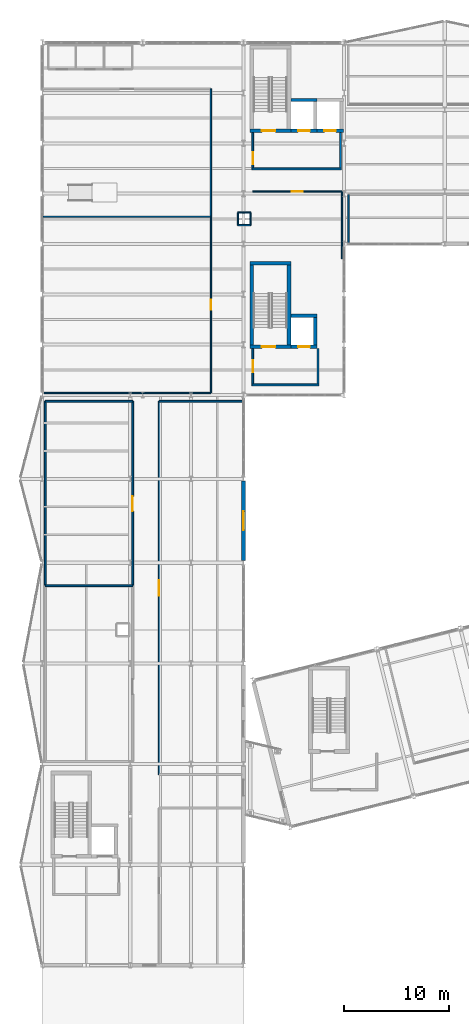
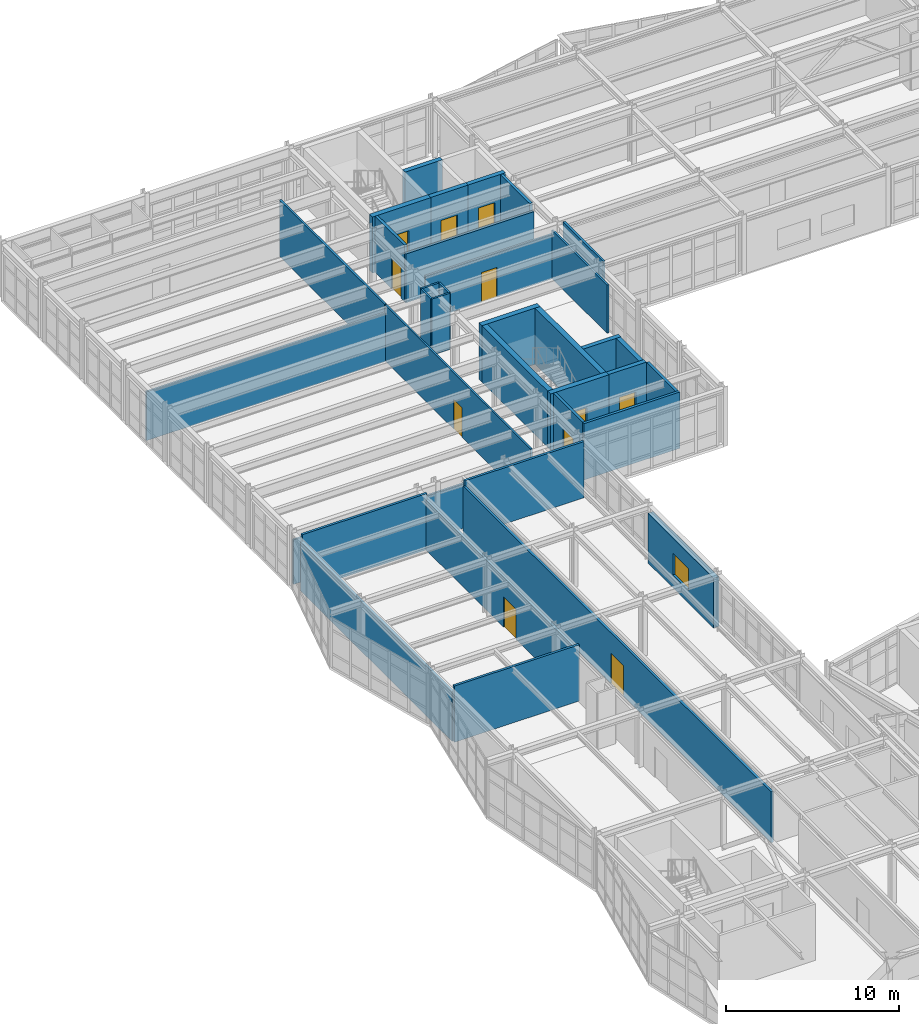
# One storey, part 73 of 88: 35 walls, 11 doors, 1 window, 12 openings.
"""IFC4 building model written with IfcOpenShell, lengths in metres."""

from ifc_helpers import new_model, si_unit, direction, frame, frame_2d, origin, place, context, subcontext, project, spatial, rectangle, extrude, material, layer, layer_set, type_object, element, fill, save


model = new_model("IFC4")

# Units and contexts
model_context = context("Model", 3, precision=1e-05, world=origin(), true_north=direction((0.0, 1.0)))
body_context = subcontext(model_context, "Body", "Model", "MODEL_VIEW")
ifc_project = project(units=[si_unit("LENGTHUNIT", "METRE"), si_unit("AREAUNIT", "SQUARE_METRE"), si_unit("VOLUMEUNIT", "CUBIC_METRE"), si_unit("PLANEANGLEUNIT", "RADIAN"), si_unit("MASSUNIT", "GRAM", prefix="KILO")], contexts=[model_context])

# Site, building, storey
site_placement = place(None, origin())
site = spatial("IfcSite", under=ifc_project, at=site_placement, CompositionType="ELEMENT")
building_placement = place(site_placement, origin())
building = spatial("IfcBuilding", under=site, at=building_placement, Name="Nordkorset Police Headquarters", CompositionType="ELEMENT")
storey_placement = place(building_placement, frame((0.0, 0.0, 9.449951171875)))
storey = spatial("IfcBuildingStorey", under=building, at=storey_placement, Name="L02", CompositionType="ELEMENT", Elevation=9.449951171875)

# Walls
ifc_material_1 = material(Name="Gypsum board", Category="gypsum")
ifc_layer_1 = layer(ifc_material_1, 0.139892578125, Name="Gypsum board")
ifc_layer_set_1 = layer_set([ifc_layer_1], Name="Gypsum board")
wall_type_1 = type_object("IfcWallType", Name="Wall_Acoust_140", PredefinedType="PARTITIONING", material=ifc_layer_set_1)
wall_1_placement = place(storey_placement, frame((16.10009765625, 100.2548828125, 0.0), z_axis=(0.0, 0.0, 1.0), x_axis=(0.0, 1.0, 0.0)))
element("IfcWall", 1, at=wall_1_placement, inside=storey, type_object=wall_type_1, Name="Interior Partition Wall Detective Taskforce Briefing Room", PredefinedType="PARTITIONING", context=body_context, shape_type="SweptSolid", body=[
    extrude(rectangle(XDim=12.14501953125, YDim=0.139892578125, at=frame_2d((6.072509765625, 0.0))), origin(), (0.0, 0.0, 1.0), 3.969970703125),
])
wall_2_placement = place(storey_placement, frame((29.199951171875, 102.300048828125, 0.0), z_axis=(0.0, 0.0, 1.0), x_axis=(0.0, -1.0, 0.0)))
element("IfcWall", 2, at=wall_2_placement, inside=storey, type_object=wall_type_1, Name="Interior Partition Wall Vulnerable Witness Interview Suite", PredefinedType="PARTITIONING", context=body_context, shape_type="SweptSolid", body=[
    extrude(rectangle(XDim=4.614990234375, YDim=0.139892578125, at=frame_2d((2.3076171875, 0.0))), origin(), (0.0, 0.0, 1.0), 3.969970703125),
])
ifc_material_2 = material(Name="Gypsum board", Category="gypsum")
ifc_layer_2 = layer(ifc_material_2, 0.179931640625, Name="Gypsum board")
ifc_layer_set_2 = layer_set([ifc_layer_2], Name="Gypsum board")
wall_type_2 = type_object("IfcWallType", Name="Wall_Comp_180", PredefinedType="PARTITIONING", material=ifc_layer_set_2)
wall_3_placement = place(storey_placement, frame((20.0, 104.760009765625, 0.0), z_axis=(0.0, 0.0, 1.0), x_axis=(1.0, 0.0, 0.0)))
element("IfcWall", 3, at=wall_3_placement, inside=storey, type_object=wall_type_2, Name="Firefighting Lobby EI 60 Wall K1 L02 S", PredefinedType="PARTITIONING", context=body_context, shape_type="SweptSolid", body=[
    extrude(rectangle(XDim=8.550048828125, YDim=0.179931640625, at=frame_2d((4.27490234375, 0.0))), origin(), (0.0, 0.0, 1.0), 3.449951171875),
])

# Wall, opening, door
wall_4_placement = place(storey_placement, frame((20.090087890625, 104.85009765625, 0.0), z_axis=(0.0, 0.0, 1.0), x_axis=(0.0, 1.0, 0.0)))
wall_4 = element("IfcWall", 4, at=wall_4_placement, inside=storey, type_object=wall_type_2, Name="Firefighting Lobby EI 60 Wall K1 L02 W", PredefinedType="PARTITIONING", context=body_context, shape_type="SweptSolid", body=[
    extrude(rectangle(XDim=3.375, YDim=0.179931640625, at=frame_2d((1.6875, 0.0))), origin(), (0.0, 0.0, 1.0), 3.969970703125),
])
opening_1_placement = place(wall_4_placement, frame((0.35009765625, 0.0, 0.0)))
opening_1 = element("IfcOpeningElement", 5, at=opening_1_placement, cuts=wall_4, Name="Opening DR-01", PredefinedType="OPENING", context=body_context, shape_type="SweptSolid", body=[
    extrude(rectangle(XDim=1.14990234375, YDim=2.14990234375, at=frame_2d((0.574951171875, 1.074951171875))), frame((0.0, 0.10009765625, 0.0), z_axis=(0.0, -1.0, 0.0), x_axis=(1.0, 0.0, 0.0)), (0.0, 0.0, 1.0), 0.199951171875),
])
ifc_material_3 = material(Name="Steel S355J2", Category="steel")
door_type_1 = type_object("IfcDoorType", Name="Door_LobbySingle_1150x2150", OperationType="NOTDEFINED", PredefinedType="DOOR", material=ifc_material_3)
door_1_placement = place(opening_1_placement, origin())
door_1 = element("IfcDoor", 6, at=door_1_placement, inside=storey, type_object=door_type_1, Name="Firefighting Lobby Smoke Door K1 L02 W", OperationType="SINGLE_SWING_LEFT", OverallHeight=2.14990234375, OverallWidth=1.14990234375, PredefinedType="DOOR", context=body_context, shape_type="SweptSolid", body=[
    extrude(rectangle(XDim=1.14990234375, YDim=2.14990234375, at=frame_2d((0.574951171875, 1.074951171875))), frame((0.0, 0.02490234375, 0.0), z_axis=(0.0, -1.0, 0.0), x_axis=(1.0, 0.0, 0.0)), (0.0, 0.0, 1.0), 0.050048828125),
])
fill(opening_1, door_1)

# Walls
wall_5_placement = place(storey_placement, frame((28.4599609375, 104.85009765625, 0.0), z_axis=(0.0, 0.0, 1.0), x_axis=(0.0, 1.0, 0.0)))
element("IfcWall", 7, at=wall_5_placement, inside=storey, type_object=wall_type_2, Name="Firefighting Lobby EI 60 Wall K1 L02 E", PredefinedType="PARTITIONING", context=body_context, shape_type="SweptSolid", body=[
    extrude(rectangle(XDim=3.375, YDim=0.179931640625, at=frame_2d((1.6875, 0.0))), origin(), (0.0, 0.0, 1.0), 3.969970703125),
])
wall_6_placement = place(storey_placement, frame((20.0, 84.159912109375, 0.0), z_axis=(0.0, 0.0, 1.0), x_axis=(1.0, 0.0, 0.0)))
element("IfcWall", 8, at=wall_6_placement, inside=storey, type_object=wall_type_2, Name="Firefighting Lobby EI 60 Wall K3 L02 S", PredefinedType="PARTITIONING", context=body_context, shape_type="SweptSolid", body=[
    extrude(rectangle(XDim=6.39990234375, YDim=0.179931640625, at=frame_2d((3.199951171875, 0.0))), origin(), (0.0, 0.0, 1.0), 3.969970703125),
])

# Wall, opening, door
wall_7_placement = place(storey_placement, frame((20.090087890625, 84.25, 0.0), z_axis=(0.0, 0.0, 1.0), x_axis=(0.0, 1.0, 0.0)))
wall_7 = element("IfcWall", 9, at=wall_7_placement, inside=storey, type_object=wall_type_2, Name="Firefighting Lobby EI 60 Wall K3 L02 W", PredefinedType="PARTITIONING", context=body_context, shape_type="SweptSolid", body=[
    extrude(rectangle(XDim=3.375, YDim=0.179931640625, at=frame_2d((1.6875, 0.0))), origin(), (0.0, 0.0, 1.0), 3.969970703125),
])
opening_2_placement = place(wall_7_placement, frame((1.112548828125, 0.0, 0.0)))
opening_2 = element("IfcOpeningElement", 10, at=opening_2_placement, cuts=wall_7, Name="Opening DR-01", PredefinedType="OPENING", context=body_context, shape_type="SweptSolid", body=[
    extrude(rectangle(XDim=1.14990234375, YDim=2.14990234375, at=frame_2d((0.574951171875, 1.074951171875))), frame((0.0, 0.10009765625, 0.0), z_axis=(0.0, -1.0, 0.0), x_axis=(1.0, 0.0, 0.0)), (0.0, 0.0, 1.0), 0.199951171875),
])
door_2_placement = place(opening_2_placement, origin())
door_2 = element("IfcDoor", 11, at=door_2_placement, inside=storey, type_object=door_type_1, Name="Firefighting Lobby Smoke Door K3 L02 W", OperationType="SINGLE_SWING_RIGHT", OverallHeight=2.14990234375, OverallWidth=1.14990234375, PredefinedType="DOOR", context=body_context, shape_type="SweptSolid", body=[
    extrude(rectangle(XDim=1.14990234375, YDim=2.14990234375, at=frame_2d((0.574951171875, 1.074951171875))), frame((0.0, 0.02490234375, 0.0), z_axis=(0.0, -1.0, 0.0), x_axis=(1.0, 0.0, 0.0)), (0.0, 0.0, 1.0), 0.050048828125),
])
fill(opening_2, door_2)

# Wall
wall_8_placement = place(storey_placement, frame((26.31005859375, 84.25, 0.0), z_axis=(0.0, 0.0, 1.0), x_axis=(0.0, 1.0, 0.0)))
element("IfcWall", 12, at=wall_8_placement, inside=storey, type_object=wall_type_2, Name="Firefighting Lobby EI 60 Wall K3 L02 E", PredefinedType="PARTITIONING", context=body_context, shape_type="SweptSolid", body=[
    extrude(rectangle(XDim=3.375, YDim=0.179931640625, at=frame_2d((1.6875, 0.0))), origin(), (0.0, 0.0, 1.0), 3.969970703125),
])

# Wall, opening, door
ifc_material_4 = material(Name="Concrete C35/45", Category="concrete")
ifc_layer_3 = layer(ifc_material_4, 0.35009765625, Name="Concrete C35/45")
ifc_layer_set_3 = layer_set([ifc_layer_3], Name="Concrete C35/45")
wall_type_3 = type_object("IfcWallType", Name="Wall_CoreShear_350", PredefinedType="SHEAR", material=ifc_layer_set_3)
wall_9_placement = place(storey_placement, frame((19.824951171875, 108.39990234375, 0.0), z_axis=(0.0, 0.0, 1.0), x_axis=(1.0, 0.0, 0.0)))
wall_9 = element("IfcWall", 13, at=wall_9_placement, inside=storey, type_object=wall_type_3, Name="Core K1 Stair Shaft South Shear Wall L02", PredefinedType="SHEAR", context=body_context, shape_type="SweptSolid", body=[
    extrude(rectangle(XDim=3.900146484375, YDim=0.35009765625, at=frame_2d((1.9501953125, 0.0))), origin(), (0.0, 0.0, 1.0), 3.969970703125),
])
opening_3_placement = place(wall_9_placement, frame((1.125, 0.0, 0.0)))
opening_3 = element("IfcOpeningElement", 14, at=opening_3_placement, cuts=wall_9, Name="Opening DR-20", PredefinedType="OPENING", context=body_context, shape_type="SweptSolid", body=[
    extrude(rectangle(XDim=1.300048828125, YDim=2.14990234375, at=frame_2d((0.64990234375, 1.074951171875))), frame((0.0, 0.18505859375, 0.0), z_axis=(0.0, -1.0, 0.0), x_axis=(1.0, 0.0, 0.0)), (0.0, 0.0, 1.0), 0.3701171875),
])
ifc_material_5 = material(Name="Steel S355J2", Category="steel")
door_type_2 = type_object("IfcDoorType", Name="Door_Stair_1300x2150", OperationType="NOTDEFINED", PredefinedType="DOOR", material=ifc_material_5)
door_3_placement = place(opening_3_placement, frame((1.300048828125, 0.0, 0.0), z_axis=(0.0, 0.0, 1.0), x_axis=(-1.0, 0.0, 0.0)))
door_3 = element("IfcDoor", 15, at=door_3_placement, inside=storey, type_object=door_type_2, Name="Protected Stair Fire Door ST-01 L02", OperationType="SINGLE_SWING_LEFT", OverallHeight=2.14990234375, OverallWidth=1.300048828125, PredefinedType="DOOR", context=body_context, shape_type="SweptSolid", body=[
    extrude(rectangle(XDim=1.300048828125, YDim=2.14990234375, at=frame_2d((0.64990234375, 1.074951171875))), frame((0.0, 0.02490234375, 0.0), z_axis=(0.0, -1.0, 0.0), x_axis=(1.0, 0.0, 0.0)), (0.0, 0.0, 1.0), 0.050048828125),
])
fill(opening_3, door_3)

wall_10_placement = place(storey_placement, frame((19.824951171875, 87.800048828125, 0.0), z_axis=(0.0, 0.0, 1.0), x_axis=(1.0, 0.0, 0.0)))
wall_10 = element("IfcWall", 16, at=wall_10_placement, inside=storey, type_object=wall_type_3, Name="Core K3 Stair Shaft South Shear Wall L02", PredefinedType="SHEAR", context=body_context, shape_type="SweptSolid", body=[
    extrude(rectangle(XDim=3.900146484375, YDim=0.35009765625, at=frame_2d((1.9501953125, 0.0))), origin(), (0.0, 0.0, 1.0), 3.969970703125),
])
opening_4_placement = place(wall_10_placement, frame((1.125, 0.0, 0.0)))
opening_4 = element("IfcOpeningElement", 17, at=opening_4_placement, cuts=wall_10, Name="Opening DR-20", PredefinedType="OPENING", context=body_context, shape_type="SweptSolid", body=[
    extrude(rectangle(XDim=1.300048828125, YDim=2.14990234375, at=frame_2d((0.64990234375, 1.074951171875))), frame((0.0, 0.18505859375, 0.0), z_axis=(0.0, -1.0, 0.0), x_axis=(1.0, 0.0, 0.0)), (0.0, 0.0, 1.0), 0.3701171875),
])
door_4_placement = place(opening_4_placement, frame((1.300048828125, 0.0, 0.0), z_axis=(0.0, 0.0, 1.0), x_axis=(-1.0, 0.0, 0.0)))
door_4 = element("IfcDoor", 18, at=door_4_placement, inside=storey, type_object=door_type_2, Name="Protected Stair Fire Door ST-03 L02", OperationType="SINGLE_SWING_LEFT", OverallHeight=2.14990234375, OverallWidth=1.300048828125, PredefinedType="DOOR", context=body_context, shape_type="SweptSolid", body=[
    extrude(rectangle(XDim=1.300048828125, YDim=2.14990234375, at=frame_2d((0.64990234375, 1.074951171875))), frame((0.0, 0.02490234375, 0.0), z_axis=(0.0, -1.0, 0.0), x_axis=(1.0, 0.0, 0.0)), (0.0, 0.0, 1.0), 0.050048828125),
])
fill(opening_4, door_4)

# Walls
wall_11_placement = place(storey_placement, frame((19.824951171875, 95.75, 0.0), z_axis=(0.0, 0.0, 1.0), x_axis=(1.0, 0.0, 0.0)))
element("IfcWall", 19, at=wall_11_placement, inside=storey, type_object=wall_type_3, Name="Core K3 Stair Shaft North Shear Wall L02", PredefinedType="SHEAR", context=body_context, shape_type="SweptSolid", body=[
    extrude(rectangle(XDim=3.900146484375, YDim=0.35009765625, at=frame_2d((1.9501953125, 0.0))), origin(), (0.0, 0.0, 1.0), 3.969970703125),
])
for number, where, z_axis, x_axis, name in (
    (20, (20.0, 87.97509765625, 0.0), (0.0, 0.0, 1.0), (0.0, 1.0, 0.0), "Core K3 Stair Shaft West Shear Wall L02"),
    (21, (23.550048828125, 87.97509765625, 0.0), (0.0, 0.0, 1.0), (0.0, 1.0, 0.0), "Core K3 Stair Shaft East Shear Wall L02"),
):
    element("IfcWall", number, at=place(storey_placement, frame(where, z_axis=z_axis, x_axis=x_axis)), inside=storey, type_object=wall_type_3, Name=name, PredefinedType="SHEAR", context=body_context, shape_type="SweptSolid", body=[
        extrude(rectangle(XDim=7.599853515625, YDim=0.35009765625, at=frame_2d((3.7998046875, 0.0))), origin(), (0.0, 0.0, 1.0), 3.969970703125),
    ])

# Wall, opening, window
ifc_material_6 = material(Name="Precast concrete C40/50", Category="concrete")
ifc_layer_4 = layer(ifc_material_6, 0.360107421875, Name="Precast concrete C40/50")
ifc_layer_set_4 = layer_set([ifc_layer_4], Name="Precast concrete C40/50")
wall_type_4 = type_object("IfcWallType", Name="Wall_ExtPrecast_360", PredefinedType="SOLIDWALL", material=ifc_layer_set_4)
wall_12_placement = place(storey_placement, frame((19.199951171875, 67.402099609375, 0.0), z_axis=(0.0, 0.0, 1.0), x_axis=(0.0, 1.0, 0.0)))
wall_12 = element("IfcWall", 22, at=wall_12_placement, inside=storey, type_object=wall_type_4, Name="Exterior Insulated Precast Wall L02 V3E-4", PredefinedType="SOLIDWALL", context=body_context, shape_type="SweptSolid", body=[
    extrude(rectangle(XDim=7.595947265625, YDim=0.360107421875, at=frame_2d((3.7978515625, 0.0))), origin(), (0.0, 0.0, 1.0), 3.510009765625),
])
opening_5_placement = place(wall_12_placement, frame((2.89794921875, 0.0, 0.89990234375)))
opening_5 = element("IfcOpeningElement", 23, at=opening_5_placement, cuts=wall_12, Name="Opening WN-26", PredefinedType="OPENING", context=body_context, shape_type="SweptSolid", body=[
    extrude(rectangle(XDim=1.800048828125, YDim=1.550048828125, at=frame_2d((0.89990234375, 0.77490234375))), frame((0.0, 0.18994140625, 0.0), z_axis=(0.0, -1.0, 0.0), x_axis=(1.0, 0.0, 0.0)), (0.0, 0.0, 1.0), 0.380126953125),
])
ifc_material_7 = material(Name="Low-iron triple glazing", Category="glass")
window_type = type_object("IfcWindowType", Name="Win_1800x1550", PartitioningType="SINGLE_PANEL", PredefinedType="WINDOW", material=ifc_material_7)
window_placement = place(opening_5_placement, origin())
window = element("IfcWindow", 24, at=window_placement, inside=storey, type_object=window_type, Name="Triple-Glazed Exterior Window L02 V3E-4-1", OverallHeight=1.550048828125, OverallWidth=1.800048828125, PartitioningType="SINGLE_PANEL", PredefinedType="WINDOW", context=body_context, shape_type="SweptSolid", body=[
    extrude(rectangle(XDim=1.800048828125, YDim=1.550048828125, at=frame_2d((0.89990234375, 0.77490234375))), frame((0.0, 0.030029296875, 0.0), z_axis=(0.0, -1.0, 0.0), x_axis=(1.0, 0.0, 0.0)), (0.0, 0.0, 1.0), 0.06005859375),
])
fill(opening_5, window)

# Wall
ifc_material_8 = material(Name="Gypsum board", Category="gypsum")
ifc_layer_5 = layer(ifc_material_8, 0.159912109375, Name="Gypsum board")
ifc_layer_set_5 = layer_set([ifc_layer_5], Name="Gypsum board")
wall_type_5 = type_object("IfcWallType", Name="Wall_Lab_160", PredefinedType="PARTITIONING", material=ifc_layer_set_5)
wall_13_placement = place(storey_placement, frame((8.639892578125, 65.0, 0.0), z_axis=(0.0, 0.0, 1.0), x_axis=(-1.0, 0.0, 0.0)))
element("IfcWall", 25, at=wall_13_placement, inside=storey, type_object=wall_type_5, Name="Interior Partition Wall Forensic DNA Cleanroom Laboratory", PredefinedType="PARTITIONING", context=body_context, shape_type="SweptSolid", body=[
    extrude(rectangle(XDim=8.33984375, YDim=0.159912109375, at=frame_2d((4.169921875, 0.0))), origin(), (0.0, 0.0, 1.0), 3.969970703125),
])

# Wall, opening, door
wall_14_placement = place(storey_placement, frame((8.639892578125, 65.074951171875, 0.0), z_axis=(0.0, 0.0, 1.0), x_axis=(0.0, 1.0, 0.0)))
wall_14 = element("IfcWall", 26, at=wall_14_placement, inside=storey, type_object=wall_type_5, Name="Interior Partition Wall Forensic Chemistry Laboratory", PredefinedType="PARTITIONING", context=body_context, shape_type="SweptSolid", body=[
    extrude(rectangle(XDim=17.525146484375, YDim=0.159912109375, at=frame_2d((8.7626953125, 0.0))), origin(), (0.0, 0.0, 1.0), 3.510009765625),
])
opening_6_placement = place(wall_14_placement, frame((7.03759765625, 0.0, 0.0)))
opening_6 = element("IfcOpeningElement", 27, at=opening_6_placement, cuts=wall_14, Name="Opening DR-12", PredefinedType="OPENING", context=body_context, shape_type="SweptSolid", body=[
    extrude(rectangle(XDim=1.449951171875, YDim=2.14990234375, at=frame_2d((0.72509765625, 1.074951171875))), frame((0.0, 0.08984375, 0.0), z_axis=(0.0, -1.0, 0.0), x_axis=(1.0, 0.0, 0.0)), (0.0, 0.0, 1.0), 0.179931640625),
])
ifc_material_9 = material(Name="Aluminium alloy AW-6060", Category="aluminium")
door_type_3 = type_object("IfcDoorType", Name="Door_LabClean_1450x2150", OperationType="DOUBLE_DOOR_SINGLE_SWING", PredefinedType="DOOR", material=ifc_material_9)
door_5_placement = place(opening_6_placement, origin())
door_5 = element("IfcDoor", 28, at=door_5_placement, inside=storey, type_object=door_type_3, Name="Interior Door Forensic Chemistry Laboratory", OperationType="DOUBLE_DOOR_SINGLE_SWING", OverallHeight=2.14990234375, OverallWidth=1.449951171875, PredefinedType="DOOR", context=body_context, shape_type="SweptSolid", body=[
    extrude(rectangle(XDim=1.449951171875, YDim=2.14990234375, at=frame_2d((0.72509765625, 1.074951171875))), frame((0.0, 0.02490234375, 0.0), z_axis=(0.0, -1.0, 0.0), x_axis=(1.0, 0.0, 0.0)), (0.0, 0.0, 1.0), 0.050048828125),
])
fill(opening_6, door_5)

# Walls
wall_15_placement = place(storey_placement, frame((8.639892578125, 82.60009765625, 0.0), z_axis=(0.0, 0.0, 1.0), x_axis=(-1.0, 0.0, 0.0)))
element("IfcWall", 29, at=wall_15_placement, inside=storey, type_object=wall_type_5, Name="Interior Partition Wall Forensic Chemistry Laboratory", PredefinedType="PARTITIONING", context=body_context, shape_type="SweptSolid", body=[
    extrude(rectangle(XDim=8.33984375, YDim=0.159912109375, at=frame_2d((4.169921875, 0.0))), origin(), (0.0, 0.0, 1.0), 3.969970703125),
])
wall_16_placement = place(storey_placement, frame((0.300048828125, 82.60009765625, 0.0), z_axis=(0.0, 0.0, 1.0), x_axis=(0.0, -1.0, 0.0)))
element("IfcWall", 30, at=wall_16_placement, inside=storey, type_object=wall_type_5, Name="Interior Partition Wall Forensic Chemistry Laboratory", PredefinedType="PARTITIONING", context=body_context, shape_type="SweptSolid", body=[
    extrude(rectangle(XDim=17.525146484375, YDim=0.159912109375, at=frame_2d((8.7626953125, 0.0))), origin(), (0.0, 0.0, 1.0), 3.510009765625),
])
wall_17_placement = place(storey_placement, frame((19.114990234375, 82.60009765625, 0.0), z_axis=(0.0, 0.0, 1.0), x_axis=(-1.0, 0.0, 0.0)))
element("IfcWall", 31, at=wall_17_placement, inside=storey, type_object=wall_type_5, Name="Interior Partition Wall Ballistics Examination Laboratory", PredefinedType="PARTITIONING", context=body_context, shape_type="SweptSolid", body=[
    extrude(rectangle(XDim=7.955078125, YDim=0.159912109375, at=frame_2d((3.9775390625, 0.0))), origin(), (0.0, 0.0, 1.0), 3.969970703125),
])

# Wall, opening, door
wall_18_placement = place(storey_placement, frame((11.159912109375, 82.60009765625, 0.0), z_axis=(0.0, 0.0, 1.0), x_axis=(0.0, -1.0, 0.0)))
wall_18 = element("IfcWall", 32, at=wall_18_placement, inside=storey, type_object=wall_type_5, Name="Interior Partition Wall Ballistics Examination Laboratory", PredefinedType="PARTITIONING", context=body_context, shape_type="SweptSolid", body=[
    extrude(rectangle(XDim=35.60009765625, YDim=0.159912109375, at=frame_2d((17.800048828125, 0.0))), origin(), (0.0, 0.0, 1.0), 3.590087890625),
])
opening_7_placement = place(wall_18_placement, frame((17.074951171875, 0.0, 0.0)))
opening_7 = element("IfcOpeningElement", 33, at=opening_7_placement, cuts=wall_18, Name="Opening DR-12", PredefinedType="OPENING", context=body_context, shape_type="SweptSolid", body=[
    extrude(rectangle(XDim=1.449951171875, YDim=2.14990234375, at=frame_2d((0.72509765625, 1.074951171875))), frame((0.0, 0.08984375, 0.0), z_axis=(0.0, -1.0, 0.0), x_axis=(1.0, 0.0, 0.0)), (0.0, 0.0, 1.0), 0.179931640625),
])
door_6_placement = place(opening_7_placement, origin())
door_6 = element("IfcDoor", 34, at=door_6_placement, inside=storey, type_object=door_type_3, Name="Interior Door Ballistics Examination Laboratory", OperationType="DOUBLE_DOOR_SINGLE_SWING", OverallHeight=2.14990234375, OverallWidth=1.449951171875, PredefinedType="DOOR", context=body_context, shape_type="SweptSolid", body=[
    extrude(rectangle(XDim=1.449951171875, YDim=2.14990234375, at=frame_2d((0.72509765625, 1.074951171875))), frame((0.0, 0.02490234375, 0.0), z_axis=(0.0, -1.0, 0.0), x_axis=(1.0, 0.0, 0.0)), (0.0, 0.0, 1.0), 0.050048828125),
])
fill(opening_7, door_6)

# Wall
ifc_material_10 = material(Name="Gypsum board", Category="gypsum")
ifc_layer_6 = layer(ifc_material_10, 0.1201171875, Name="Gypsum board")
ifc_layer_set_6 = layer_set([ifc_layer_6], Name="Gypsum board")
wall_type_6 = type_object("IfcWallType", Name="Wall_Part_120", PredefinedType="PARTITIONING", material=ifc_layer_set_6)
wall_19_placement = place(storey_placement, frame((0.199951171875, 83.39990234375, 0.0), z_axis=(0.0, 0.0, 1.0), x_axis=(1.0, 0.0, 0.0)))
element("IfcWall", 35, at=wall_19_placement, inside=storey, type_object=wall_type_6, Name="Interior Partition Wall Major Incident Room", PredefinedType="PARTITIONING", context=body_context, shape_type="SweptSolid", body=[
    extrude(rectangle(XDim=15.900146484375, YDim=0.1201171875, at=frame_2d((7.9501953125, 0.0))), origin(), (0.0, 0.0, 1.0), 3.150146484375),
])

# Wall, opening, door
wall_20_placement = place(storey_placement, frame((16.10009765625, 83.39990234375, 0.0), z_axis=(0.0, 0.0, 1.0), x_axis=(0.0, 1.0, 0.0)))
wall_20 = element("IfcWall", 36, at=wall_20_placement, inside=storey, type_object=wall_type_6, Name="Interior Partition Wall Major Incident Room", PredefinedType="PARTITIONING", context=body_context, shape_type="SweptSolid", body=[
    extrude(rectangle(XDim=16.800048828125, YDim=0.1201171875, at=frame_2d((8.39990234375, 0.0))), origin(), (0.0, 0.0, 1.0), 3.969970703125),
])
opening_8_placement = place(wall_20_placement, frame((7.909912109375, 0.0, 0.0)))
opening_8 = element("IfcOpeningElement", 37, at=opening_8_placement, cuts=wall_20, Name="Opening DR-18", PredefinedType="OPENING", context=body_context, shape_type="SweptSolid", body=[
    extrude(rectangle(XDim=0.97998046875, YDim=2.10009765625, at=frame_2d((0.489990234375, 1.050048828125))), frame((0.0, 0.070068359375, 0.0), z_axis=(0.0, -1.0, 0.0), x_axis=(1.0, 0.0, 0.0)), (0.0, 0.0, 1.0), 0.14013671875),
])
ifc_material_11 = material(Name="Glulam GL30c", Category="wood")
door_type_4 = type_object("IfcDoorType", Name="Door_Office_980x2100", OperationType="NOTDEFINED", PredefinedType="DOOR", material=ifc_material_11)
door_7_placement = place(opening_8_placement, frame((0.97998046875, 0.0, 0.0), z_axis=(0.0, 0.0, 1.0), x_axis=(-1.0, 0.0, 0.0)))
door_7 = element("IfcDoor", 38, at=door_7_placement, inside=storey, type_object=door_type_4, Name="Interior Door Major Incident Room", OperationType="SINGLE_SWING_RIGHT", OverallHeight=2.10009765625, OverallWidth=0.97998046875, PredefinedType="DOOR", context=body_context, shape_type="SweptSolid", body=[
    extrude(rectangle(XDim=0.97998046875, YDim=2.10009765625, at=frame_2d((0.489990234375, 1.050048828125))), frame((0.0, 0.02490234375, 0.0), z_axis=(0.0, -1.0, 0.0), x_axis=(1.0, 0.0, 0.0)), (0.0, 0.0, 1.0), 0.050048828125),
])
fill(opening_8, door_7)

# Walls
wall_21_placement = place(storey_placement, frame((16.10009765625, 100.199951171875, 0.0), z_axis=(0.0, 0.0, 1.0), x_axis=(-1.0, 0.0, 0.0)))
element("IfcWall", 39, at=wall_21_placement, inside=storey, type_object=wall_type_6, Name="Interior Partition Wall Major Incident Room", PredefinedType="PARTITIONING", context=body_context, shape_type="SweptSolid", body=[
    extrude(rectangle(XDim=16.01513671875, YDim=0.1201171875, at=frame_2d((8.007568359375, 0.0))), origin(), (0.0, 0.0, 1.0), 3.449951171875),
])
wall_22_placement = place(storey_placement, frame((28.60009765625, 96.199951171875, 0.0), z_axis=(0.0, 0.0, 1.0), x_axis=(0.0, 1.0, 0.0)))
element("IfcWall", 40, at=wall_22_placement, inside=storey, type_object=wall_type_6, Name="Interior Partition Wall Taskforce Case War Room", PredefinedType="PARTITIONING", context=body_context, shape_type="SweptSolid", body=[
    extrude(rectangle(XDim=6.400146484375, YDim=0.1201171875, at=frame_2d((3.2001953125, 0.0))), origin(), (0.0, 0.0, 1.0), 3.41015625),
])

# Wall, opening, door
wall_23_placement = place(storey_placement, frame((28.60009765625, 102.60009765625, 0.0), z_axis=(0.0, 0.0, 1.0), x_axis=(-1.0, 0.0, 0.0)))
wall_23 = element("IfcWall", 41, at=wall_23_placement, inside=storey, type_object=wall_type_6, Name="Interior Partition Wall Taskforce Case War Room", PredefinedType="PARTITIONING", context=body_context, shape_type="SweptSolid", body=[
    extrude(rectangle(XDim=8.52001953125, YDim=0.1201171875, at=frame_2d((4.260009765625, 0.0))), origin(), (0.0, 0.0, 1.0), 3.150146484375),
])
opening_9_placement = place(wall_23_placement, frame((3.75, 0.0, 0.0)))
opening_9 = element("IfcOpeningElement", 42, at=opening_9_placement, cuts=wall_23, Name="Opening DR-19", PredefinedType="OPENING", context=body_context, shape_type="SweptSolid", body=[
    extrude(rectangle(XDim=1.02001953125, YDim=2.10009765625, at=frame_2d((0.510009765625, 1.050048828125))), frame((0.0, 0.070068359375, 0.0), z_axis=(0.0, -1.0, 0.0), x_axis=(1.0, 0.0, 0.0)), (0.0, 0.0, 1.0), 0.14013671875),
])
ifc_material_12 = material(Name="Glulam GL30c", Category="wood")
door_type_5 = type_object("IfcDoorType", Name="Door_Office_1020x2100", OperationType="NOTDEFINED", PredefinedType="DOOR", material=ifc_material_12)
door_8_placement = place(opening_9_placement, origin())
door_8 = element("IfcDoor", 43, at=door_8_placement, inside=storey, type_object=door_type_5, Name="Interior Door Taskforce Case War Room", OperationType="SINGLE_SWING_LEFT", OverallHeight=2.10009765625, OverallWidth=1.02001953125, PredefinedType="DOOR", context=body_context, shape_type="SweptSolid", body=[
    extrude(rectangle(XDim=1.02001953125, YDim=2.10009765625, at=frame_2d((0.510009765625, 1.050048828125))), frame((0.0, 0.02490234375, 0.0), z_axis=(0.0, -1.0, 0.0), x_axis=(1.0, 0.0, 0.0)), (0.0, 0.0, 1.0), 0.050048828125),
])
fill(opening_9, door_8)

# Walls
ifc_material_13 = material(Name="Gypsum board", Category="gypsum")
ifc_layer_7 = layer(ifc_material_13, 0.125, Name="Gypsum board")
ifc_layer_set_7 = layer_set([ifc_layer_7], Name="Gypsum board")
wall_type_7 = type_object("IfcWallType", Name="Wall_Riser_125", PredefinedType="PARTITIONING", material=ifc_layer_set_7)
wall_24_placement = place(storey_placement, frame((18.679931640625, 99.39990234375, 0.0), z_axis=(0.0, 0.0, 1.0), x_axis=(1.0, 0.0, 0.0)))
element("IfcWall", 44, at=wall_24_placement, inside=storey, type_object=wall_type_7, Name="Service Riser Enclosure RSR-V1 L02", PredefinedType="PARTITIONING", context=body_context, shape_type="SweptSolid", body=[
    extrude(rectangle(XDim=1.199951171875, YDim=0.125, at=frame_2d((0.60009765625, 0.0))), origin(), (0.0, 0.0, 1.0), 3.969970703125),
])
wall_25_placement = place(storey_placement, frame((19.8798828125, 99.39990234375, 0.0), z_axis=(0.0, 0.0, 1.0), x_axis=(0.0, 1.0, 0.0)))
element("IfcWall", 45, at=wall_25_placement, inside=storey, type_object=wall_type_7, Name="Service Riser Enclosure RSR-V1 L02", PredefinedType="PARTITIONING", context=body_context, shape_type="SweptSolid", body=[
    extrude(rectangle(XDim=1.2001953125, YDim=0.125, at=frame_2d((0.60009765625, 0.0))), origin(), (0.0, 0.0, 1.0), 3.969970703125),
])
wall_26_placement = place(storey_placement, frame((19.8798828125, 100.60009765625, 0.0), z_axis=(0.0, 0.0, 1.0), x_axis=(-1.0, 0.0, 0.0)))
element("IfcWall", 46, at=wall_26_placement, inside=storey, type_object=wall_type_7, Name="Service Riser Enclosure RSR-V1 L02", PredefinedType="PARTITIONING", context=body_context, shape_type="SweptSolid", body=[
    extrude(rectangle(XDim=1.199951171875, YDim=0.125, at=frame_2d((0.60009765625, 0.0))), origin(), (0.0, 0.0, 1.0), 3.969970703125),
])
wall_27_placement = place(storey_placement, frame((18.679931640625, 100.60009765625, 0.0), z_axis=(0.0, 0.0, 1.0), x_axis=(0.0, -1.0, 0.0)))
element("IfcWall", 47, at=wall_27_placement, inside=storey, type_object=wall_type_7, Name="Service Riser Enclosure RSR-V1 L02", PredefinedType="PARTITIONING", context=body_context, shape_type="SweptSolid", body=[
    extrude(rectangle(XDim=1.2001953125, YDim=0.125, at=frame_2d((0.60009765625, 0.0))), origin(), (0.0, 0.0, 1.0), 3.969970703125),
])

# Wall, opening, door
ifc_material_14 = material(Name="Concrete C35/45", Category="concrete")
ifc_layer_8 = layer(ifc_material_14, 0.300048828125, Name="Concrete C35/45")
ifc_layer_set_8 = layer_set([ifc_layer_8], Name="Concrete C35/45")
wall_type_8 = type_object("IfcWallType", Name="Wall_ShaftShear_300", PredefinedType="SHEAR", material=ifc_layer_set_8)
wall_28_placement = place(storey_placement, frame((23.72509765625, 108.39990234375, 0.0), z_axis=(0.0, 0.0, 1.0), x_axis=(1.0, 0.0, 0.0)))
wall_28 = element("IfcWall", 48, at=wall_28_placement, inside=storey, type_object=wall_type_8, Name="Lift Shaft LF-01 Front Shear Wall L02", PredefinedType="SHEAR", context=body_context, shape_type="SweptSolid", body=[
    extrude(rectangle(XDim=2.5, YDim=0.300048828125, at=frame_2d((1.25, 0.0))), origin(), (0.0, 0.0, 1.0), 3.969970703125),
])
opening_10_placement = place(wall_28_placement, frame((0.699951171875, 0.0, 0.0)))
opening_10 = element("IfcOpeningElement", 49, at=opening_10_placement, cuts=wall_28, Name="Opening LD-01", PredefinedType="OPENING", context=body_context, shape_type="SweptSolid", body=[
    extrude(rectangle(XDim=1.10009765625, YDim=2.10009765625, at=frame_2d((0.550048828125, 1.050048828125))), frame((0.0, 0.16015625, 0.0), z_axis=(0.0, -1.0, 0.0), x_axis=(1.0, 0.0, 0.0)), (0.0, 0.0, 1.0), 0.320068359375),
])
ifc_material_15 = material(Name="Steel S355J2", Category="steel")
door_type_6 = type_object("IfcDoorType", Name="Door_LiftLanding_1100x2100", OperationType="SLIDING_TO_LEFT", PredefinedType="DOOR", material=ifc_material_15)
door_9_placement = place(opening_10_placement, frame((1.10009765625, 0.0, 0.0), z_axis=(0.0, 0.0, 1.0), x_axis=(-1.0, 0.0, 0.0)))
door_9 = element("IfcDoor", 50, at=door_9_placement, inside=storey, type_object=door_type_6, Name="Lift Landing Sliding Door LF-01 L02", OperationType="SLIDING_TO_LEFT", OverallHeight=2.10009765625, OverallWidth=1.10009765625, PredefinedType="DOOR", context=body_context, shape_type="SweptSolid", body=[
    extrude(rectangle(XDim=1.10009765625, YDim=2.10009765625, at=frame_2d((0.550048828125, 1.050048828125))), frame((0.0, 0.02490234375, 0.0), z_axis=(0.0, -1.0, 0.0), x_axis=(1.0, 0.0, 0.0)), (0.0, 0.0, 1.0), 0.050048828125),
])
fill(opening_10, door_9)

# Wall
wall_29_placement = place(storey_placement, frame((23.72509765625, 111.35009765625, 0.0), z_axis=(0.0, 0.0, 1.0), x_axis=(1.0, 0.0, 0.0)))
element("IfcWall", 51, at=wall_29_placement, inside=storey, type_object=wall_type_8, Name="Lift Shaft LF-01 Rear Shear Wall L02", PredefinedType="SHEAR", context=body_context, shape_type="SweptSolid", body=[
    extrude(rectangle(XDim=2.5, YDim=0.300048828125, at=frame_2d((1.25, 0.0))), origin(), (0.0, 0.0, 1.0), 3.969970703125),
])

# Wall, opening, door
wall_30_placement = place(storey_placement, frame((26.22509765625, 108.39990234375, 0.0), z_axis=(0.0, 0.0, 1.0), x_axis=(1.0, 0.0, 0.0)))
wall_30 = element("IfcWall", 52, at=wall_30_placement, inside=storey, type_object=wall_type_8, Name="Lift Shaft LF-02 Front Shear Wall L02", PredefinedType="SHEAR", context=body_context, shape_type="SweptSolid", body=[
    extrude(rectangle(XDim=2.5, YDim=0.300048828125, at=frame_2d((1.25, 0.0))), origin(), (0.0, 0.0, 1.0), 3.969970703125),
])
opening_11_placement = place(wall_30_placement, frame((0.699951171875, 0.0, 0.0)))
opening_11 = element("IfcOpeningElement", 53, at=opening_11_placement, cuts=wall_30, Name="Opening LD-02", PredefinedType="OPENING", context=body_context, shape_type="SweptSolid", body=[
    extrude(rectangle(XDim=1.10009765625, YDim=2.10009765625, at=frame_2d((0.550048828125, 1.050048828125))), frame((0.0, 0.16015625, 0.0), z_axis=(0.0, -1.0, 0.0), x_axis=(1.0, 0.0, 0.0)), (0.0, 0.0, 1.0), 0.320068359375),
])
door_10_placement = place(opening_11_placement, frame((1.10009765625, 0.0, 0.0), z_axis=(0.0, 0.0, 1.0), x_axis=(-1.0, 0.0, 0.0)))
door_10 = element("IfcDoor", 54, at=door_10_placement, inside=storey, type_object=door_type_6, Name="Lift Landing Sliding Door LF-02 L02", OperationType="SLIDING_TO_LEFT", OverallHeight=2.10009765625, OverallWidth=1.10009765625, PredefinedType="DOOR", context=body_context, shape_type="SweptSolid", body=[
    extrude(rectangle(XDim=1.10009765625, YDim=2.10009765625, at=frame_2d((0.550048828125, 1.050048828125))), frame((0.0, 0.02490234375, 0.0), z_axis=(0.0, -1.0, 0.0), x_axis=(1.0, 0.0, 0.0)), (0.0, 0.0, 1.0), 0.050048828125),
])
fill(opening_11, door_10)

wall_31_placement = place(storey_placement, frame((23.72509765625, 87.800048828125, 0.0), z_axis=(0.0, 0.0, 1.0), x_axis=(1.0, 0.0, 0.0)))
wall_31 = element("IfcWall", 55, at=wall_31_placement, inside=storey, type_object=wall_type_8, Name="Lift Shaft LF-03 Front Shear Wall L02", PredefinedType="SHEAR", context=body_context, shape_type="SweptSolid", body=[
    extrude(rectangle(XDim=2.5, YDim=0.300048828125, at=frame_2d((1.25, 0.0))), origin(), (0.0, 0.0, 1.0), 3.969970703125),
])
opening_12_placement = place(wall_31_placement, frame((0.699951171875, 0.0, 0.0)))
opening_12 = element("IfcOpeningElement", 56, at=opening_12_placement, cuts=wall_31, Name="Opening LD-03", PredefinedType="OPENING", context=body_context, shape_type="SweptSolid", body=[
    extrude(rectangle(XDim=1.10009765625, YDim=2.10009765625, at=frame_2d((0.550048828125, 1.050048828125))), frame((0.0, 0.16015625, 0.0), z_axis=(0.0, -1.0, 0.0), x_axis=(1.0, 0.0, 0.0)), (0.0, 0.0, 1.0), 0.320068359375),
])
door_11_placement = place(opening_12_placement, frame((1.10009765625, 0.0, 0.0), z_axis=(0.0, 0.0, 1.0), x_axis=(-1.0, 0.0, 0.0)))
door_11 = element("IfcDoor", 57, at=door_11_placement, inside=storey, type_object=door_type_6, Name="Lift Landing Sliding Door LF-03 L02", OperationType="SLIDING_TO_LEFT", OverallHeight=2.10009765625, OverallWidth=1.10009765625, PredefinedType="DOOR", context=body_context, shape_type="SweptSolid", body=[
    extrude(rectangle(XDim=1.10009765625, YDim=2.10009765625, at=frame_2d((0.550048828125, 1.050048828125))), frame((0.0, 0.02490234375, 0.0), z_axis=(0.0, -1.0, 0.0), x_axis=(1.0, 0.0, 0.0)), (0.0, 0.0, 1.0), 0.050048828125),
])
fill(opening_12, door_11)

# Walls
wall_32_placement = place(storey_placement, frame((23.72509765625, 90.75, 0.0), z_axis=(0.0, 0.0, 1.0), x_axis=(1.0, 0.0, 0.0)))
element("IfcWall", 58, at=wall_32_placement, inside=storey, type_object=wall_type_8, Name="Lift Shaft LF-03 Rear Shear Wall L02", PredefinedType="SHEAR", context=body_context, shape_type="SweptSolid", body=[
    extrude(rectangle(XDim=2.5, YDim=0.300048828125, at=frame_2d((1.25, 0.0))), origin(), (0.0, 0.0, 1.0), 3.969970703125),
])
wall_33_placement = place(storey_placement, frame((26.050048828125, 87.949951171875, 0.0), z_axis=(0.0, 0.0, 1.0), x_axis=(0.0, 1.0, 0.0)))
element("IfcWall", 59, at=wall_33_placement, inside=storey, type_object=wall_type_8, Name="Lift Shaft LF-03 East Shear Wall L02", PredefinedType="SHEAR", context=body_context, shape_type="SweptSolid", body=[
    extrude(rectangle(XDim=2.650146484375, YDim=0.300048828125, at=frame_2d((1.3251953125, 0.0))), origin(), (0.0, 0.0, 1.0), 3.969970703125),
])

save(model, "model.ifc")
